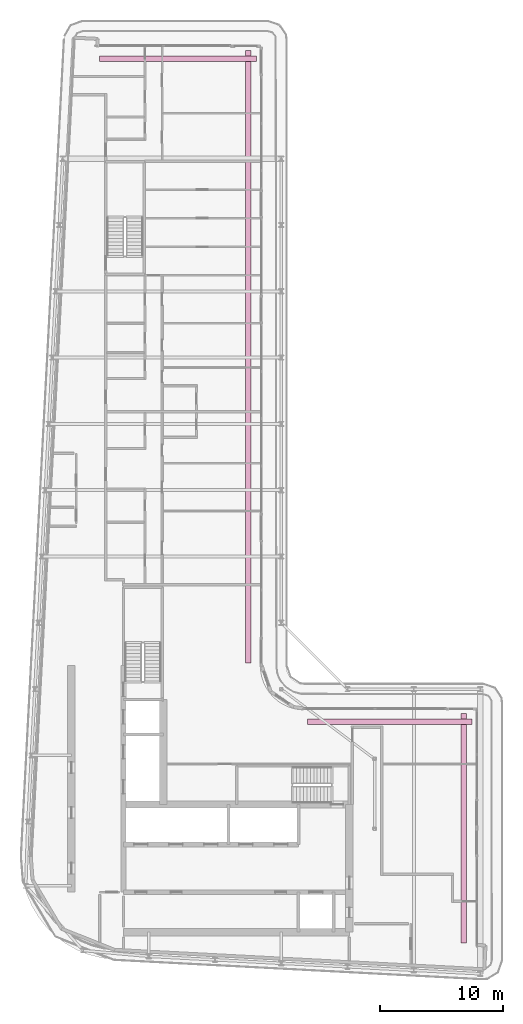
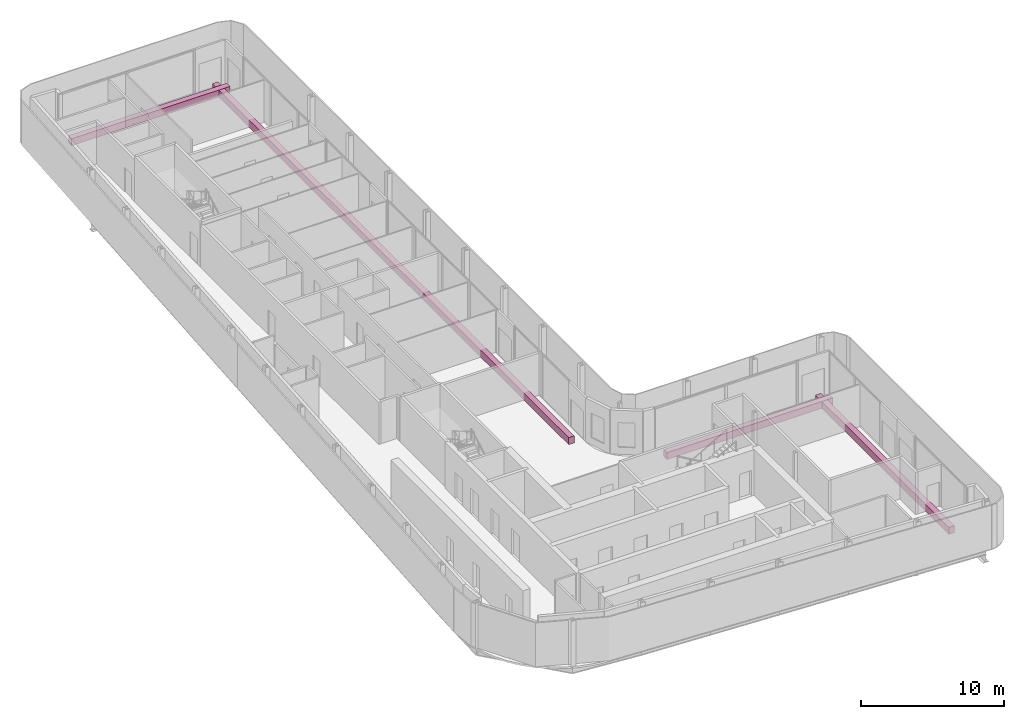
# One storey, part 21 of 21: 4 furniture elements.
"""IFC4 building model written with IfcOpenShell, lengths in metres."""

from ifc_helpers import new_model, si_unit, direction, frame, origin, origin_2d, place, context, subcontext, project, spatial, rectangle, extrude, material, type_object, element, save


model = new_model("IFC4")

# Units and contexts
model_context = context("Model", 3, precision=1e-05, world=origin(), true_north=direction((0.0, 1.0)))
body_context = subcontext(model_context, "Body", "Model", "MODEL_VIEW")
ifc_project = project(units=[si_unit("LENGTHUNIT", "METRE"), si_unit("AREAUNIT", "SQUARE_METRE"), si_unit("VOLUMEUNIT", "CUBIC_METRE"), si_unit("PLANEANGLEUNIT", "RADIAN"), si_unit("MASSUNIT", "GRAM", prefix="KILO")], contexts=[model_context])

# Site, building, storey
site_placement = place(None, origin())
site = spatial("IfcSite", under=ifc_project, at=site_placement, CompositionType="ELEMENT")
building_placement = place(site_placement, origin())
building = spatial("IfcBuilding", under=site, at=building_placement, Name="Kheshtan School and Residences Tower", CompositionType="ELEMENT")
storey_placement = place(building_placement, frame((0.0, 0.0, 282.5)))
storey = spatial("IfcBuildingStorey", under=building, at=storey_placement, Name="L66", CompositionType="ELEMENT", Elevation=282.5)

# Furniture
ifc_material = material(Name="Precast concrete C30/37 in terracotta finish", Category="masonry")
furniture_type = type_object("IfcFurnitureType", Name="Planter trough", AssemblyPlace="NOTDEFINED", PredefinedType="USERDEFINED", material=ifc_material)
furniture_1_placement = place(storey_placement, frame((39.196044921875, 96.925048828125, 0.0), z_axis=(0.0, 0.0, 1.0), x_axis=(1.0, 0.0, 0.0)))
element("IfcFurniture", 1, at=furniture_1_placement, inside=storey, type_object=furniture_type, Name="Planter L66", ObjectType="PLANTER", PredefinedType="USERDEFINED", context=body_context, shape_type="SweptSolid", body=[
    extrude(rectangle(XDim=12.80810546875, YDim=0.449951171875, at=origin_2d()), origin(), (0.0, 0.0, 1.0), 0.60009765625),
])
furniture_2_placement = place(storey_placement, frame((44.925048828125, 72.6650390625, 0.0), z_axis=(0.0, 0.0, 1.0), x_axis=(0.0, -1.0, 0.0)))
element("IfcFurniture", 2, at=furniture_2_placement, inside=storey, type_object=furniture_type, Name="Planter L66", ObjectType="PLANTER", PredefinedType="USERDEFINED", context=body_context, shape_type="SweptSolid", body=[
    extrude(rectangle(XDim=49.8701171875, YDim=0.449951171875, at=origin_2d()), origin(), (0.0, 0.0, 1.0), 0.60009765625),
])
furniture_3_placement = place(storey_placement, frame((56.43994140625, 42.925048828125, 0.0), z_axis=(0.0, 0.0, 1.0), x_axis=(1.0, 0.0, 0.0)))
element("IfcFurniture", 3, at=furniture_3_placement, inside=storey, type_object=furniture_type, Name="Planter L66", ObjectType="PLANTER", PredefinedType="USERDEFINED", context=body_context, shape_type="SweptSolid", body=[
    extrude(rectangle(XDim=13.419921875, YDim=0.449951171875, at=origin_2d()), origin(), (0.0, 0.0, 1.0), 0.60009765625),
])
furniture_4_placement = place(storey_placement, frame((62.47509765625, 34.26708984375, 0.0), z_axis=(0.0, 0.0, 1.0), x_axis=(0.0, -1.0, 0.0)))
element("IfcFurniture", 4, at=furniture_4_placement, inside=storey, type_object=furniture_type, Name="Planter L66", ObjectType="PLANTER", PredefinedType="USERDEFINED", context=body_context, shape_type="SweptSolid", body=[
    extrude(rectangle(XDim=18.6669921875, YDim=0.449951171875, at=origin_2d()), origin(), (0.0, 0.0, 1.0), 0.60009765625),
])

save(model, "model.ifc")
